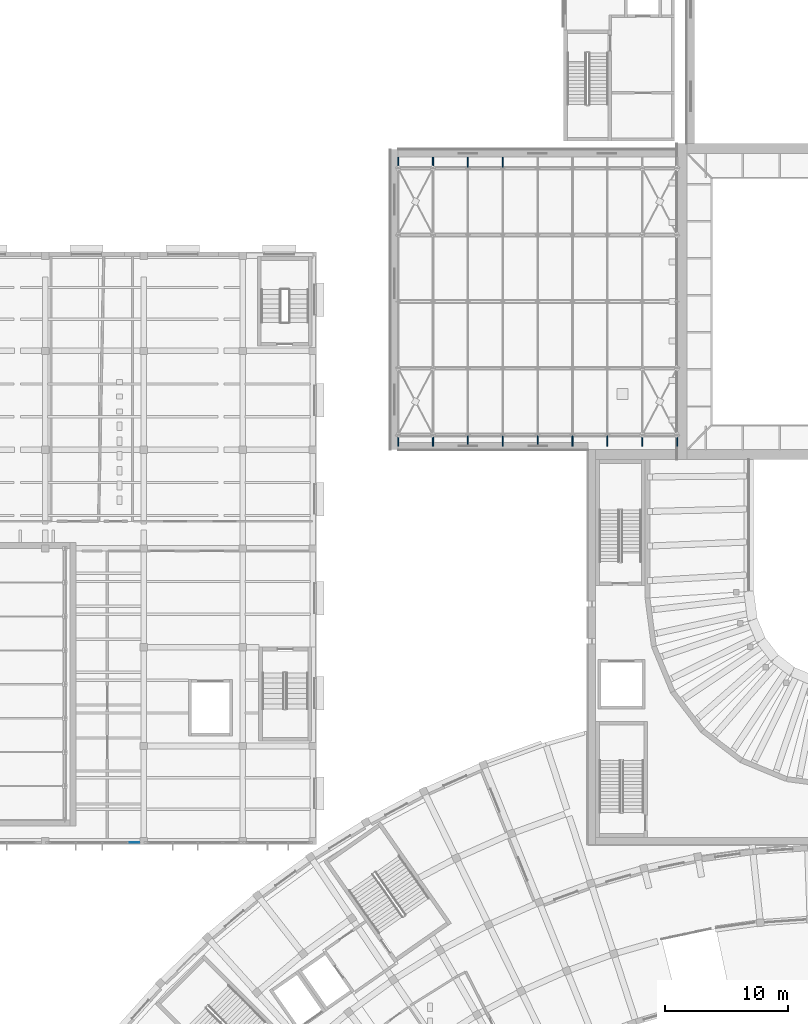
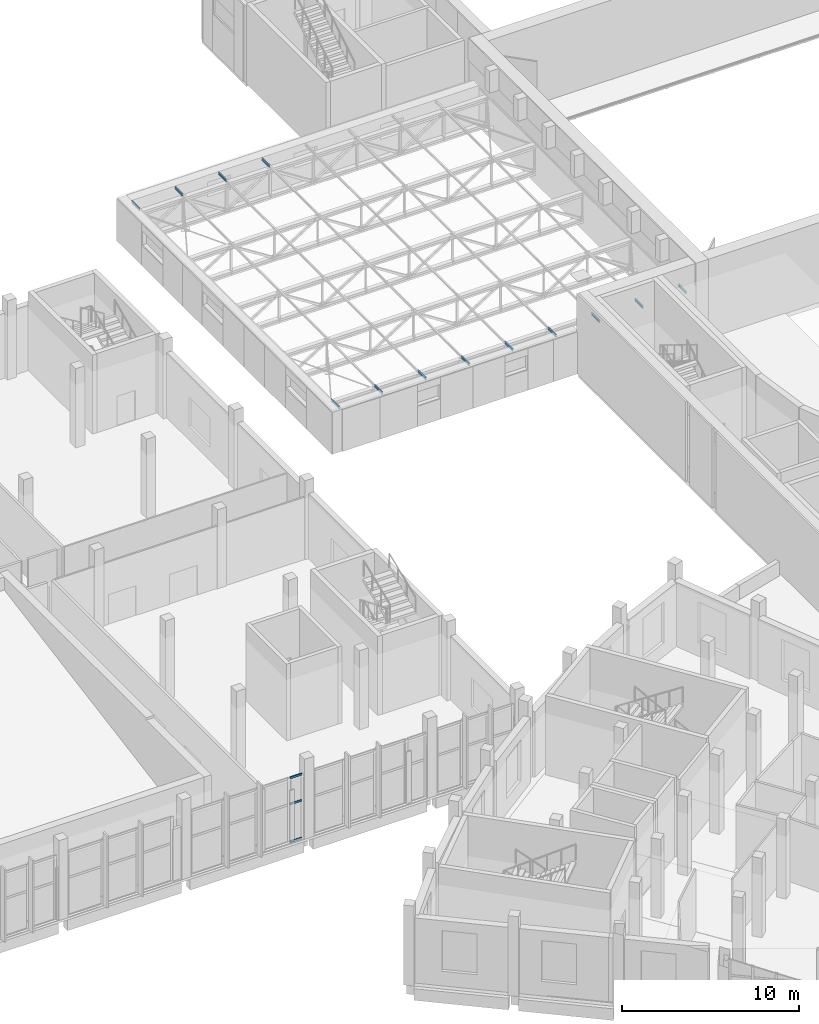
# One storey, part 58 of 132: 16 members, 1 element without a shape of its own.
"""IFC4 building model written with IfcOpenShell, lengths in metres."""

from ifc_helpers import new_model, si_unit, direction, frame, origin, origin_2d, place, context, subcontext, project, spatial, rectangle, i_section, extrude, material, layer, layer_set, material_profile, profile_set, type_object, element, aggregate, save


model = new_model("IFC4")

# Units and contexts
model_context = context("Model", 3, precision=1e-05, world=origin(), true_north=direction((0.0, 1.0)))
body_context = subcontext(model_context, "Body", "Model", "MODEL_VIEW")
ifc_project = project(units=[si_unit("LENGTHUNIT", "METRE"), si_unit("AREAUNIT", "SQUARE_METRE"), si_unit("VOLUMEUNIT", "CUBIC_METRE"), si_unit("PLANEANGLEUNIT", "RADIAN"), si_unit("MASSUNIT", "GRAM", prefix="KILO")], contexts=[model_context])

# Site, building, storey
site_placement = place(None, origin())
site = spatial("IfcSite", under=ifc_project, at=site_placement, CompositionType="ELEMENT")
building_placement = place(site_placement, origin())
building = spatial("IfcBuilding", under=site, at=building_placement, Name="Lunette Opera House", CompositionType="ELEMENT")
storey_placement = place(building_placement, frame((0.0, 0.0, 17.0)))
storey = spatial("IfcBuildingStorey", under=building, at=storey_placement, Name="L03", CompositionType="ELEMENT", Elevation=17.0)

# Members
ifc_material_1 = material(Name="Steel S355", Category="steel")
ifc_material_profile_1 = material_profile(ifc_material_1, i_section(OverallWidth=0.08203125, OverallDepth=0.159912109375, WebThickness=0.0048828125, FlangeThickness=0.00732421875, FilletRadius=0.009033203125, at=origin_2d()), Name="IPE 160")
ifc_profile_set_1 = profile_set([ifc_material_profile_1], Name="Steel S355")
member_type_1 = type_object("IfcMemberType", Name="PURLIN IPE 160", PredefinedType="PURLIN", material=ifc_profile_set_1)
for number, where, z_axis, x_axis, name in (
    (1, (60.60009765625, 96.300048828125, 2.800048828125), (0.0, 1.0, 0.0), (-1.0, 0.0, 0.0), "mem-ST-L03-SW-TR-PU1-1"),
    (2, (60.60009765625, 118.800048828125, 2.800048828125), (0.0, 1.0, 0.0), (-1.0, 0.0, 0.0), "mem-ST-L03-SW-TR-PU1-6"),
    (3, (63.425048828125, 96.300048828125, 2.800048828125), (0.0, 1.0, 0.0), (-1.0, 0.0, 0.0), "mem-ST-L03-SW-TR-PU2-1"),
    (4, (63.425048828125, 118.800048828125, 2.800048828125), (0.0, 1.0, 0.0), (-1.0, 0.0, 0.0), "mem-ST-L03-SW-TR-PU2-6"),
    (5, (66.25, 96.300048828125, 2.800048828125), (0.0, 1.0, 0.0), (-1.0, 0.0, 0.0), "mem-ST-L03-SW-TR-PU3-1"),
    (6, (66.25, 118.800048828125, 2.800048828125), (0.0, 1.0, 0.0), (-1.0, 0.0, 0.0), "mem-ST-L03-SW-TR-PU3-6"),
    (7, (69.074951171875, 96.300048828125, 2.800048828125), (0.0, 1.0, 0.0), (-1.0, 0.0, 0.0), "mem-ST-L03-SW-TR-PU4-1"),
    (8, (69.074951171875, 118.800048828125, 2.800048828125), (0.0, 1.0, 0.0), (-1.0, 0.0, 0.0), "mem-ST-L03-SW-TR-PU4-6"),
    (9, (71.89990234375, 96.300048828125, 2.800048828125), (0.0, 1.0, 0.0), (-1.0, 0.0, 0.0), "mem-ST-L03-SW-TR-PU5-1"),
    (10, (74.72509765625, 96.300048828125, 2.800048828125), (0.0, 1.0, 0.0), (-1.0, 0.0, 0.0), "mem-ST-L03-SW-TR-PU6-1"),
    (11, (77.550048828125, 96.300048828125, 2.800048828125), (0.0, 1.0, 0.0), (-1.0, 0.0, 0.0), "mem-ST-L03-SW-TR-PU7-1"),
    (12, (80.375, 96.300048828125, 2.800048828125), (0.0, 1.0, 0.0), (-1.0, 0.0, 0.0), "mem-ST-L03-SW-TR-PU8-1"),
    (13, (83.199951171875, 96.300048828125, 2.800048828125), (0.0, 1.0, 0.0), (-1.0, 0.0, 0.0), "mem-ST-L03-SW-TR-PU9-1"),
):
    element("IfcMember", number, at=place(storey_placement, frame(where, z_axis=z_axis, x_axis=x_axis)), inside=storey, type_object=member_type_1, Name=name, PredefinedType="PURLIN", context=body_context, shape_type="SweptSolid", body=[
        extrude(i_section(OverallWidth=0.08203125, OverallDepth=0.159912109375, WebThickness=0.0048828125, FlangeThickness=0.00732421875, FilletRadius=0.009033203125, at=origin_2d()), origin(), (0.0, 0.0, 1.0), 0.89990234375),
    ])

# Curtain wall, members
ifc_material_2 = material(Name="Aluminium", Category="aluminium")
ifc_layer = layer(ifc_material_2, 0.179931640625)
ifc_layer_set = layer_set([ifc_layer], Name="Aluminium")
curtain_wall_type = type_object("IfcCurtainWallType", Name="SUN FACE CURTAIN WALL", PredefinedType="NOTDEFINED", material=ifc_layer_set)
curtain_wall_placement = place(storey_placement, origin())
curtain_wall = element("IfcCurtainWall", 14, at=curtain_wall_placement, inside=storey, type_object=curtain_wall_type, Name="Sun Face Curtain Wall F23-1 L03", PredefinedType="NOTDEFINED")
ifc_material_3 = material(Name="Aluminium", Category="aluminium")
ifc_material_profile_2 = material_profile(ifc_material_3, rectangle(XDim=0.06005859375, YDim=0.139892578125, at=origin_2d()), Name="TRANSOM 60 X 140")
ifc_profile_set_2 = profile_set([ifc_material_profile_2], Name="Aluminium")
member_type_2 = type_object("IfcMemberType", Name="TRANSOM 60 X 140", PredefinedType="USERDEFINED", material=ifc_profile_set_2)
member_1_placement = place(storey_placement, frame((38.847900390625, 64.18310546875, 0.030029296875), z_axis=(1.0, 0.0, 0.0), x_axis=(0.0, 1.0, 0.0)))
member_1 = element("IfcMember", 15, at=member_1_placement, type_object=member_type_2, Name="RW-X2053 transom 1.1", ObjectType="TRANSOM", PredefinedType="USERDEFINED", context=body_context, shape_type="SweptSolid", body=[
    extrude(rectangle(XDim=0.06005859375, YDim=0.139892578125, at=origin_2d()), origin(), (0.0, 0.0, 1.0), 0.76220703125),
])
member_2_placement = place(storey_placement, frame((38.847900390625, 64.18310546875, 2.625), z_axis=(1.0, 0.0, 0.0), x_axis=(0.0, 1.0, 0.0)))
member_2 = element("IfcMember", 16, at=member_2_placement, type_object=member_type_2, Name="RW-X2053 transom 1.2", ObjectType="TRANSOM", PredefinedType="USERDEFINED", context=body_context, shape_type="SweptSolid", body=[
    extrude(rectangle(XDim=0.06005859375, YDim=0.139892578125, at=origin_2d()), origin(), (0.0, 0.0, 1.0), 0.76220703125),
])
member_3_placement = place(storey_placement, frame((38.847900390625, 64.18310546875, 4.419921875), z_axis=(1.0, 0.0, 0.0), x_axis=(0.0, 1.0, 0.0)))
member_3 = element("IfcMember", 17, at=member_3_placement, type_object=member_type_2, Name="RW-X2053 transom 1.3", ObjectType="TRANSOM", PredefinedType="USERDEFINED", context=body_context, shape_type="SweptSolid", body=[
    extrude(rectangle(XDim=0.06005859375, YDim=0.139892578125, at=origin_2d()), origin(), (0.0, 0.0, 1.0), 0.76220703125),
])
aggregate(curtain_wall, [member_1, member_2, member_3])

save(model, "model.ifc")
